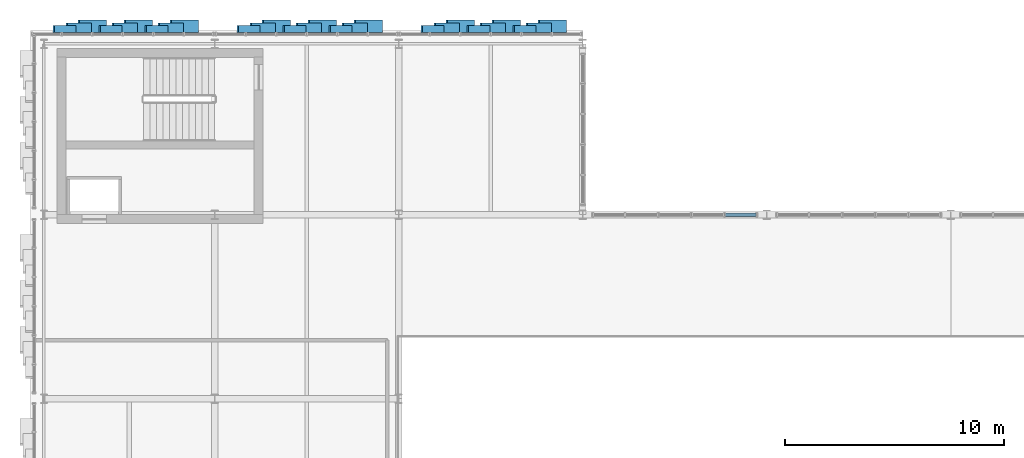
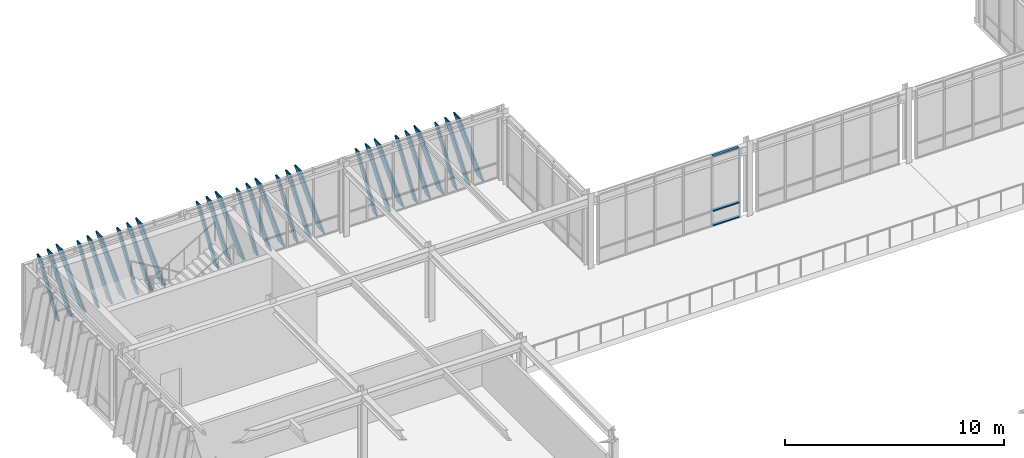
# One storey, part 48 of 127: 30 members, 4 elements without a shape of their own.
"""IFC4 building model written with IfcOpenShell, lengths in metres."""

from ifc_helpers import new_model, si_unit, direction, frame, origin, origin_2d, place, context, subcontext, project, spatial, hollow_rectangle, extrude, material, layer, layer_set, material_profile, profile_set, type_object, element, aggregate, save


model = new_model("IFC4")

# Units and contexts
model_context = context("Model", 3, precision=1e-05, world=origin(), true_north=direction((0.0, 1.0)))
body_context = subcontext(model_context, "Body", "Model", "MODEL_VIEW")
ifc_project = project(units=[si_unit("LENGTHUNIT", "METRE"), si_unit("AREAUNIT", "SQUARE_METRE"), si_unit("VOLUMEUNIT", "CUBIC_METRE"), si_unit("PLANEANGLEUNIT", "RADIAN"), si_unit("MASSUNIT", "GRAM", prefix="KILO")], contexts=[model_context])

# Site, building, storey
site_placement = place(None, origin())
site = spatial("IfcSite", under=ifc_project, at=site_placement, CompositionType="ELEMENT")
building_placement = place(site_placement, origin())
building = spatial("IfcBuilding", under=site, at=building_placement, Name="Zayran Congress Hotel", CompositionType="ELEMENT")
storey_placement = place(building_placement, frame((0.0, 0.0, 10.800048828125)))
storey = spatial("IfcBuildingStorey", under=building, at=storey_placement, Name="L02", CompositionType="ELEMENT", Elevation=10.800048828125)

# Curtain wall, members
ifc_material_1 = material(Name="Anodised aluminium and low-E insulated glass", Category="aluminium")
ifc_layer_1 = layer(ifc_material_1, 0.179931640625)
ifc_layer_set_1 = layer_set([ifc_layer_1], Name="Anodised aluminium and low-E insulated glass")
curtain_wall_type_1 = type_object("IfcCurtainWallType", Name="CW-V1NF-L02-CW-21-7560-3920", PredefinedType="USERDEFINED", material=ifc_layer_set_1)
curtain_wall_1_placement = place(storey_placement, origin())
curtain_wall_1 = element("IfcCurtainWall", 1, at=curtain_wall_1_placement, inside=storey, type_object=curtain_wall_type_1, Name="CW-V1NF-L02-3", ObjectType="CURTAIN WALL", PredefinedType="USERDEFINED")
ifc_material_2 = material(Name="Anodised aluminium framing", Category="aluminium")
ifc_material_profile_1 = material_profile(ifc_material_2, hollow_rectangle(XDim=0.06005859375, YDim=0.14990234375, WallThickness=0.00390625, at=origin_2d()), Name="RHS 150x60x4")
ifc_profile_set_1 = profile_set([ifc_material_profile_1], Name="Anodised aluminium framing")
member_type_1 = type_object("IfcMemberType", Name="TP-CWT-01", PredefinedType="USERDEFINED", material=ifc_profile_set_1)
member_1_placement = place(storey_placement, frame((41.5, 109.60009765625, 0.030029296875), z_axis=(-1.0, 0.0, 0.0), x_axis=(0.0, 0.0, 1.0)))
member_1 = element("IfcMember", 2, at=member_1_placement, type_object=member_type_1, Name="CW-V1NF-L02-3-T00-0", ObjectType="TRANSOM", PredefinedType="USERDEFINED", context=body_context, shape_type="SweptSolid", body=[
    extrude(hollow_rectangle(XDim=0.06005859375, YDim=0.14990234375, WallThickness=0.00390625, at=origin_2d()), origin(), (0.0, 0.0, 1.0), 1.39208984375),
])
member_2_placement = place(storey_placement, frame((41.5, 109.60009765625, 0.83984375), z_axis=(-1.0, 0.0, 0.0), x_axis=(0.0, 0.0, 1.0)))
member_2 = element("IfcMember", 3, at=member_2_placement, type_object=member_type_1, Name="CW-V1NF-L02-3-T00-1", ObjectType="TRANSOM", PredefinedType="USERDEFINED", context=body_context, shape_type="SweptSolid", body=[
    extrude(hollow_rectangle(XDim=0.06005859375, YDim=0.14990234375, WallThickness=0.00390625, at=origin_2d()), origin(), (0.0, 0.0, 1.0), 1.39208984375),
])
member_3_placement = place(storey_placement, frame((41.5, 109.60009765625, 3.889892578125), z_axis=(-1.0, 0.0, 0.0), x_axis=(0.0, 0.0, 1.0)))
member_3 = element("IfcMember", 4, at=member_3_placement, type_object=member_type_1, Name="CW-V1NF-L02-3-T00-2", ObjectType="TRANSOM", PredefinedType="USERDEFINED", context=body_context, shape_type="SweptSolid", body=[
    extrude(hollow_rectangle(XDim=0.06005859375, YDim=0.14990234375, WallThickness=0.00390625, at=origin_2d()), origin(), (0.0, 0.0, 1.0), 1.39208984375),
])
aggregate(curtain_wall_1, [member_1, member_2, member_3])

ifc_layer_2 = layer(ifc_material_1, 0.179931640625)
ifc_layer_set_2 = layer_set([ifc_layer_2], Name="Anodised aluminium and low-E insulated glass")
curtain_wall_type_2 = type_object("IfcCurtainWallType", Name="CW-V1N-L02-CW-21-8360-3920", PredefinedType="USERDEFINED", material=ifc_layer_set_2)
curtain_wall_2_placement = place(storey_placement, origin())
curtain_wall_2 = element("IfcCurtainWall", 5, at=curtain_wall_2_placement, inside=storey, type_object=curtain_wall_type_2, Name="CW-V1N-L02-0", ObjectType="CURTAIN WALL", PredefinedType="USERDEFINED")
ifc_material_3 = material(Name="Warm bronze anodised aluminium", Category="aluminium")
ifc_material_profile_2 = material_profile(ifc_material_3, hollow_rectangle(XDim=0.080078125, YDim=0.580078125, WallThickness=0.006103515625, at=origin_2d()), Name="RHS 580x80x6")
ifc_profile_set_2 = profile_set([ifc_material_profile_2], Name="Warm bronze anodised aluminium")
member_type_2 = type_object("IfcMemberType", Name="TP-RFN-01", PredefinedType="MULLION", material=ifc_profile_set_2)
member_4_placement = place(storey_placement, frame((16.030029296875, 118.199951171875, 0.0), z_axis=(-0.300736197829, 0.0, 0.953707365661), x_axis=(0.953707365661, 0.0, 0.300736197829)))
member_4 = element("IfcMember", 6, at=member_4_placement, type_object=member_type_2, Name="Slanting Reed Mullion CW-21-01", PredefinedType="MULLION", context=body_context, shape_type="SweptSolid", body=[
    extrude(hollow_rectangle(XDim=0.080078125, YDim=0.580078125, WallThickness=0.006103515625, at=origin_2d()), origin(), (0.0, 0.0, 1.0), 4.110107421875),
])
member_5_placement = place(storey_placement, frame((13.929931640625, 118.199951171875, 0.0), z_axis=(-0.30068216973, 0.0, 0.953724400866), x_axis=(0.953724400866, 0.0, 0.30068216973)))
member_5 = element("IfcMember", 7, at=member_5_placement, type_object=member_type_2, Name="Slanting Reed Mullion CW-21-04", PredefinedType="MULLION", context=body_context, shape_type="SweptSolid", body=[
    extrude(hollow_rectangle(XDim=0.080078125, YDim=0.580078125, WallThickness=0.006103515625, at=origin_2d()), origin(), (0.0, 0.0, 1.0), 4.110107421875),
])
member_6_placement = place(storey_placement, frame((11.830078125, 118.199951171875, 0.0), z_axis=(-0.300736197829, 0.0, 0.953707365661), x_axis=(0.953707365661, 0.0, 0.300736197829)))
member_6 = element("IfcMember", 8, at=member_6_placement, type_object=member_type_2, Name="Slanting Reed Mullion CW-21-07", PredefinedType="MULLION", context=body_context, shape_type="SweptSolid", body=[
    extrude(hollow_rectangle(XDim=0.080078125, YDim=0.580078125, WallThickness=0.006103515625, at=origin_2d()), origin(), (0.0, 0.0, 1.0), 4.110107421875),
])

ifc_layer_3 = layer(ifc_material_1, 0.179931640625)
ifc_layer_set_3 = layer_set([ifc_layer_3], Name="Anodised aluminium and low-E insulated glass")
curtain_wall_type_3 = type_object("IfcCurtainWallType", Name="CW-V1N-L02-CW-22-8360-3920", PredefinedType="USERDEFINED", material=ifc_layer_set_3)
curtain_wall_3_placement = place(storey_placement, origin())
curtain_wall_3 = element("IfcCurtainWall", 9, at=curtain_wall_3_placement, inside=storey, type_object=curtain_wall_type_3, Name="CW-V1N-L02-1", ObjectType="CURTAIN WALL", PredefinedType="USERDEFINED")
member_7_placement = place(storey_placement, frame((24.429931640625, 118.199951171875, 0.0), z_axis=(-0.30068216973, 0.0, 0.953724400866), x_axis=(0.953724400866, 0.0, 0.30068216973)))
member_7 = element("IfcMember", 10, at=member_7_placement, type_object=member_type_2, Name="Slanting Reed Mullion CW-22-01", PredefinedType="MULLION", context=body_context, shape_type="SweptSolid", body=[
    extrude(hollow_rectangle(XDim=0.080078125, YDim=0.580078125, WallThickness=0.006103515625, at=origin_2d()), origin(), (0.0, 0.0, 1.0), 4.110107421875),
])
member_8_placement = place(storey_placement, frame((22.330078125, 118.199951171875, 0.0), z_axis=(-0.300736197829, 0.0, 0.953707365661), x_axis=(0.953707365661, 0.0, 0.300736197829)))
member_8 = element("IfcMember", 11, at=member_8_placement, type_object=member_type_2, Name="Slanting Reed Mullion CW-22-04", PredefinedType="MULLION", context=body_context, shape_type="SweptSolid", body=[
    extrude(hollow_rectangle(XDim=0.080078125, YDim=0.580078125, WallThickness=0.006103515625, at=origin_2d()), origin(), (0.0, 0.0, 1.0), 4.110107421875),
])
member_9_placement = place(storey_placement, frame((20.22998046875, 118.199951171875, 0.0), z_axis=(-0.300736197829, 0.0, 0.953707365661), x_axis=(0.953707365661, 0.0, 0.300736197829)))
member_9 = element("IfcMember", 12, at=member_9_placement, type_object=member_type_2, Name="Slanting Reed Mullion CW-22-07", PredefinedType="MULLION", context=body_context, shape_type="SweptSolid", body=[
    extrude(hollow_rectangle(XDim=0.080078125, YDim=0.580078125, WallThickness=0.006103515625, at=origin_2d()), origin(), (0.0, 0.0, 1.0), 4.110107421875),
])

ifc_layer_4 = layer(ifc_material_1, 0.179931640625)
ifc_layer_set_4 = layer_set([ifc_layer_4], Name="Anodised aluminium and low-E insulated glass")
curtain_wall_type_4 = type_object("IfcCurtainWallType", Name="CW-V1N-L02-CW-23-8360-3920", PredefinedType="USERDEFINED", material=ifc_layer_set_4)
curtain_wall_4_placement = place(storey_placement, origin())
curtain_wall_4 = element("IfcCurtainWall", 13, at=curtain_wall_4_placement, inside=storey, type_object=curtain_wall_type_4, Name="CW-V1N-L02-2", ObjectType="CURTAIN WALL", PredefinedType="USERDEFINED")
member_10_placement = place(storey_placement, frame((32.830078125, 118.199951171875, 0.0), z_axis=(-0.300736197829, 0.0, 0.953707365661), x_axis=(0.953707365661, 0.0, 0.300736197829)))
member_10 = element("IfcMember", 14, at=member_10_placement, type_object=member_type_2, Name="Slanting Reed Mullion CW-23-01", PredefinedType="MULLION", context=body_context, shape_type="SweptSolid", body=[
    extrude(hollow_rectangle(XDim=0.080078125, YDim=0.580078125, WallThickness=0.006103515625, at=origin_2d()), origin(), (0.0, 0.0, 1.0), 4.110107421875),
])
member_11_placement = place(storey_placement, frame((30.72998046875, 118.199951171875, 0.0), z_axis=(-0.300736197829, 0.0, 0.953707365661), x_axis=(0.953707365661, 0.0, 0.300736197829)))
member_11 = element("IfcMember", 15, at=member_11_placement, type_object=member_type_2, Name="Slanting Reed Mullion CW-23-04", PredefinedType="MULLION", context=body_context, shape_type="SweptSolid", body=[
    extrude(hollow_rectangle(XDim=0.080078125, YDim=0.580078125, WallThickness=0.006103515625, at=origin_2d()), origin(), (0.0, 0.0, 1.0), 4.110107421875),
])
member_12_placement = place(storey_placement, frame((28.6298828125, 118.199951171875, 0.0), z_axis=(-0.30068216973, 0.0, 0.953724400866), x_axis=(0.953724400866, 0.0, 0.30068216973)))
member_12 = element("IfcMember", 16, at=member_12_placement, type_object=member_type_2, Name="Slanting Reed Mullion CW-23-07", PredefinedType="MULLION", context=body_context, shape_type="SweptSolid", body=[
    extrude(hollow_rectangle(XDim=0.080078125, YDim=0.580078125, WallThickness=0.006103515625, at=origin_2d()), origin(), (0.0, 0.0, 1.0), 4.110107421875),
])

# Member
ifc_material_profile_3 = material_profile(ifc_material_3, hollow_rectangle(XDim=0.080078125, YDim=0.449951171875, WallThickness=0.006103515625, at=origin_2d()), Name="RHS 450x80x6")
ifc_profile_set_3 = profile_set([ifc_material_profile_3], Name="Warm bronze anodised aluminium")
member_type_3 = type_object("IfcMemberType", Name="TP-RFN-02", PredefinedType="MULLION", material=ifc_profile_set_3)
member_13_placement = place(storey_placement, frame((15.330078125, 118.135009765625, 0.0), z_axis=(-0.267253820088, 0.0, 0.963626170072), x_axis=(0.963626170072, 0.0, 0.267253820088)))
member_13 = element("IfcMember", 17, at=member_13_placement, type_object=member_type_3, Name="Slanting Reed Mullion CW-21-02", PredefinedType="MULLION", context=body_context, shape_type="SweptSolid", body=[
    extrude(hollow_rectangle(XDim=0.080078125, YDim=0.449951171875, WallThickness=0.006103515625, at=origin_2d()), origin(), (0.0, 0.0, 1.0), 4.06787109375),
])

member_14_placement = place(storey_placement, frame((13.22998046875, 118.135009765625, 0.0), z_axis=(-0.267253820088, 0.0, 0.963626170072), x_axis=(0.963626170072, 0.0, 0.267253820088)))
member_14 = element("IfcMember", 18, at=member_14_placement, type_object=member_type_3, Name="Slanting Reed Mullion CW-21-05", PredefinedType="MULLION", context=body_context, shape_type="SweptSolid", body=[
    extrude(hollow_rectangle(XDim=0.080078125, YDim=0.449951171875, WallThickness=0.006103515625, at=origin_2d()), origin(), (0.0, 0.0, 1.0), 4.06787109375),
])

member_15_placement = place(storey_placement, frame((11.1298828125, 118.135009765625, 0.0), z_axis=(-0.26719808883, 0.0, 0.963641624944), x_axis=(0.963641624944, 0.0, 0.26719808883)))
member_15 = element("IfcMember", 19, at=member_15_placement, type_object=member_type_3, Name="Slanting Reed Mullion CW-21-08", PredefinedType="MULLION", context=body_context, shape_type="SweptSolid", body=[
    extrude(hollow_rectangle(XDim=0.080078125, YDim=0.449951171875, WallThickness=0.006103515625, at=origin_2d()), origin(), (0.0, 0.0, 1.0), 4.06787109375),
])

member_16_placement = place(storey_placement, frame((23.72998046875, 118.135009765625, 0.0), z_axis=(-0.267253820088, 0.0, 0.963626170072), x_axis=(0.963626170072, 0.0, 0.267253820088)))
member_16 = element("IfcMember", 20, at=member_16_placement, type_object=member_type_3, Name="Slanting Reed Mullion CW-22-02", PredefinedType="MULLION", context=body_context, shape_type="SweptSolid", body=[
    extrude(hollow_rectangle(XDim=0.080078125, YDim=0.449951171875, WallThickness=0.006103515625, at=origin_2d()), origin(), (0.0, 0.0, 1.0), 4.06787109375),
])

member_17_placement = place(storey_placement, frame((21.6298828125, 118.135009765625, 0.0), z_axis=(-0.26719808883, 0.0, 0.963641624944), x_axis=(0.963641624944, 0.0, 0.26719808883)))
member_17 = element("IfcMember", 21, at=member_17_placement, type_object=member_type_3, Name="Slanting Reed Mullion CW-22-05", PredefinedType="MULLION", context=body_context, shape_type="SweptSolid", body=[
    extrude(hollow_rectangle(XDim=0.080078125, YDim=0.449951171875, WallThickness=0.006103515625, at=origin_2d()), origin(), (0.0, 0.0, 1.0), 4.06787109375),
])

member_18_placement = place(storey_placement, frame((19.530029296875, 118.135009765625, 0.0), z_axis=(-0.267253820088, 0.0, 0.963626170072), x_axis=(0.963626170072, 0.0, 0.267253820088)))
member_18 = element("IfcMember", 22, at=member_18_placement, type_object=member_type_3, Name="Slanting Reed Mullion CW-22-08", PredefinedType="MULLION", context=body_context, shape_type="SweptSolid", body=[
    extrude(hollow_rectangle(XDim=0.080078125, YDim=0.449951171875, WallThickness=0.006103515625, at=origin_2d()), origin(), (0.0, 0.0, 1.0), 4.06787109375),
])

member_19_placement = place(storey_placement, frame((32.1298828125, 118.135009765625, 0.0), z_axis=(-0.26719808883, 0.0, 0.963641624944), x_axis=(0.963641624944, 0.0, 0.26719808883)))
member_19 = element("IfcMember", 23, at=member_19_placement, type_object=member_type_3, Name="Slanting Reed Mullion CW-23-02", PredefinedType="MULLION", context=body_context, shape_type="SweptSolid", body=[
    extrude(hollow_rectangle(XDim=0.080078125, YDim=0.449951171875, WallThickness=0.006103515625, at=origin_2d()), origin(), (0.0, 0.0, 1.0), 4.06787109375),
])

member_20_placement = place(storey_placement, frame((30.030029296875, 118.135009765625, 0.0), z_axis=(-0.267253820088, 0.0, 0.963626170072), x_axis=(0.963626170072, 0.0, 0.267253820088)))
member_20 = element("IfcMember", 24, at=member_20_placement, type_object=member_type_3, Name="Slanting Reed Mullion CW-23-05", PredefinedType="MULLION", context=body_context, shape_type="SweptSolid", body=[
    extrude(hollow_rectangle(XDim=0.080078125, YDim=0.449951171875, WallThickness=0.006103515625, at=origin_2d()), origin(), (0.0, 0.0, 1.0), 4.06787109375),
])

member_21_placement = place(storey_placement, frame((27.929931640625, 118.135009765625, 0.0), z_axis=(-0.26719808883, 0.0, 0.963641624944), x_axis=(0.963641624944, 0.0, 0.26719808883)))
member_21 = element("IfcMember", 25, at=member_21_placement, type_object=member_type_3, Name="Slanting Reed Mullion CW-23-08", PredefinedType="MULLION", context=body_context, shape_type="SweptSolid", body=[
    extrude(hollow_rectangle(XDim=0.080078125, YDim=0.449951171875, WallThickness=0.006103515625, at=origin_2d()), origin(), (0.0, 0.0, 1.0), 4.06787109375),
])

ifc_material_profile_4 = material_profile(ifc_material_3, hollow_rectangle(XDim=0.080078125, YDim=0.340087890625, WallThickness=0.006103515625, at=origin_2d()), Name="RHS 340x80x6")
ifc_profile_set_4 = profile_set([ifc_material_profile_4], Name="Warm bronze anodised aluminium")
member_type_4 = type_object("IfcMemberType", Name="TP-RFN-03", PredefinedType="MULLION", material=ifc_profile_set_4)
member_22_placement = place(storey_placement, frame((14.6298828125, 118.080078125, 0.0), z_axis=(-0.241909924035, 0.0, 0.970298711044), x_axis=(0.970298711044, 0.0, 0.241909924035)))
member_22 = element("IfcMember", 26, at=member_22_placement, type_object=member_type_4, Name="Slanting Reed Mullion CW-21-03", PredefinedType="MULLION", context=body_context, shape_type="SweptSolid", body=[
    extrude(hollow_rectangle(XDim=0.080078125, YDim=0.340087890625, WallThickness=0.006103515625, at=origin_2d()), origin(), (0.0, 0.0, 1.0), 4.039794921875),
])

member_23_placement = place(storey_placement, frame((12.530029296875, 118.080078125, 0.0), z_axis=(-0.24196681843, 0.0, 0.970284524652), x_axis=(0.970284524652, 0.0, 0.24196681843)))
member_23 = element("IfcMember", 27, at=member_23_placement, type_object=member_type_4, Name="Slanting Reed Mullion CW-21-06", PredefinedType="MULLION", context=body_context, shape_type="SweptSolid", body=[
    extrude(hollow_rectangle(XDim=0.080078125, YDim=0.340087890625, WallThickness=0.006103515625, at=origin_2d()), origin(), (0.0, 0.0, 1.0), 4.0400390625),
])

member_24_placement = place(storey_placement, frame((10.429931640625, 118.080078125, 0.0), z_axis=(-0.241909924035, 0.0, 0.970298711044), x_axis=(0.970298711044, 0.0, 0.241909924035)))
member_24 = element("IfcMember", 28, at=member_24_placement, type_object=member_type_4, Name="Slanting Reed Mullion CW-21-09", PredefinedType="MULLION", context=body_context, shape_type="SweptSolid", body=[
    extrude(hollow_rectangle(XDim=0.080078125, YDim=0.340087890625, WallThickness=0.006103515625, at=origin_2d()), origin(), (0.0, 0.0, 1.0), 4.039794921875),
])

aggregate(curtain_wall_2, [member_4, member_13, member_22, member_5, member_14, member_23, member_6, member_15, member_24])

member_25_placement = place(storey_placement, frame((23.030029296875, 118.080078125, 0.0), z_axis=(-0.24196681843, 0.0, 0.970284524652), x_axis=(0.970284524652, 0.0, 0.24196681843)))
member_25 = element("IfcMember", 29, at=member_25_placement, type_object=member_type_4, Name="Slanting Reed Mullion CW-22-03", PredefinedType="MULLION", context=body_context, shape_type="SweptSolid", body=[
    extrude(hollow_rectangle(XDim=0.080078125, YDim=0.340087890625, WallThickness=0.006103515625, at=origin_2d()), origin(), (0.0, 0.0, 1.0), 4.0400390625),
])

member_26_placement = place(storey_placement, frame((20.929931640625, 118.080078125, 0.0), z_axis=(-0.241909924035, 0.0, 0.970298711044), x_axis=(0.970298711044, 0.0, 0.241909924035)))
member_26 = element("IfcMember", 30, at=member_26_placement, type_object=member_type_4, Name="Slanting Reed Mullion CW-22-06", PredefinedType="MULLION", context=body_context, shape_type="SweptSolid", body=[
    extrude(hollow_rectangle(XDim=0.080078125, YDim=0.340087890625, WallThickness=0.006103515625, at=origin_2d()), origin(), (0.0, 0.0, 1.0), 4.039794921875),
])

member_27_placement = place(storey_placement, frame((18.830078125, 118.080078125, 0.0), z_axis=(-0.24196681843, 0.0, 0.970284524652), x_axis=(0.970284524652, 0.0, 0.24196681843)))
member_27 = element("IfcMember", 31, at=member_27_placement, type_object=member_type_4, Name="Slanting Reed Mullion CW-22-09", PredefinedType="MULLION", context=body_context, shape_type="SweptSolid", body=[
    extrude(hollow_rectangle(XDim=0.080078125, YDim=0.340087890625, WallThickness=0.006103515625, at=origin_2d()), origin(), (0.0, 0.0, 1.0), 4.0400390625),
])

aggregate(curtain_wall_3, [member_7, member_16, member_25, member_8, member_17, member_26, member_9, member_18, member_27])

member_28_placement = place(storey_placement, frame((31.429931640625, 118.080078125, 0.0), z_axis=(-0.241909924035, 0.0, 0.970298711044), x_axis=(0.970298711044, 0.0, 0.241909924035)))
member_28 = element("IfcMember", 32, at=member_28_placement, type_object=member_type_4, Name="Slanting Reed Mullion CW-23-03", PredefinedType="MULLION", context=body_context, shape_type="SweptSolid", body=[
    extrude(hollow_rectangle(XDim=0.080078125, YDim=0.340087890625, WallThickness=0.006103515625, at=origin_2d()), origin(), (0.0, 0.0, 1.0), 4.039794921875),
])

member_29_placement = place(storey_placement, frame((29.330078125, 118.080078125, 0.0), z_axis=(-0.24196681843, 0.0, 0.970284524652), x_axis=(0.970284524652, 0.0, 0.24196681843)))
member_29 = element("IfcMember", 33, at=member_29_placement, type_object=member_type_4, Name="Slanting Reed Mullion CW-23-06", PredefinedType="MULLION", context=body_context, shape_type="SweptSolid", body=[
    extrude(hollow_rectangle(XDim=0.080078125, YDim=0.340087890625, WallThickness=0.006103515625, at=origin_2d()), origin(), (0.0, 0.0, 1.0), 4.0400390625),
])

member_30_placement = place(storey_placement, frame((27.22998046875, 118.080078125, 0.0), z_axis=(-0.241909924035, 0.0, 0.970298711044), x_axis=(0.970298711044, 0.0, 0.241909924035)))
member_30 = element("IfcMember", 34, at=member_30_placement, type_object=member_type_4, Name="Slanting Reed Mullion CW-23-09", PredefinedType="MULLION", context=body_context, shape_type="SweptSolid", body=[
    extrude(hollow_rectangle(XDim=0.080078125, YDim=0.340087890625, WallThickness=0.006103515625, at=origin_2d()), origin(), (0.0, 0.0, 1.0), 4.039794921875),
])

aggregate(curtain_wall_4, [member_10, member_19, member_28, member_11, member_20, member_29, member_12, member_21, member_30])

save(model, "model.ifc")
